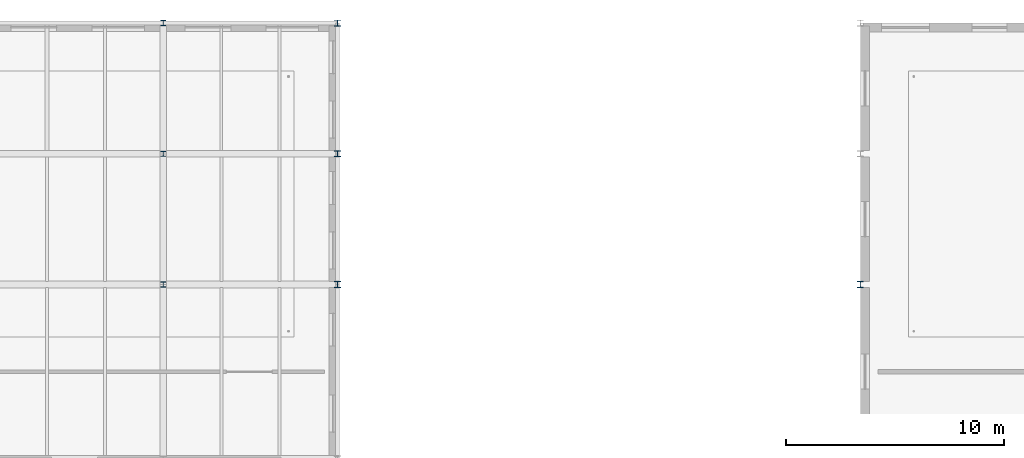
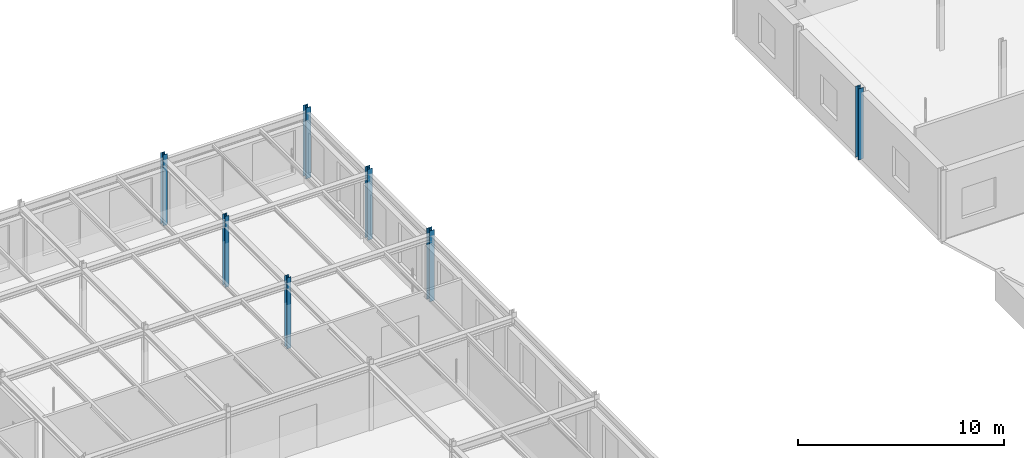
# One storey, part 12 of 124: 7 columns.
"""IFC4 building model written with IfcOpenShell, lengths in metres."""

from ifc_helpers import new_model, si_unit, direction, frame, origin, origin_2d, place, context, subcontext, project, spatial, i_section, extrude, material, material_profile, profile_set, type_object, element, save


model = new_model("IFC4")

# Units and contexts
model_context = context("Model", 3, precision=1e-05, world=origin(), true_north=direction((0.0, 1.0)))
body_context = subcontext(model_context, "Body", "Model", "MODEL_VIEW")
ifc_project = project(units=[si_unit("LENGTHUNIT", "METRE"), si_unit("AREAUNIT", "SQUARE_METRE"), si_unit("VOLUMEUNIT", "CUBIC_METRE"), si_unit("PLANEANGLEUNIT", "RADIAN"), si_unit("MASSUNIT", "GRAM", prefix="KILO")], contexts=[model_context])

# Site, building, storey
site_placement = place(None, origin())
site = spatial("IfcSite", under=ifc_project, at=site_placement, CompositionType="ELEMENT")
building_placement = place(site_placement, origin())
building = spatial("IfcBuilding", under=site, at=building_placement, Name="Sundkrona Museum", CompositionType="ELEMENT")
storey_placement = place(building_placement, frame((0.0, 0.0, 17.60009765625)))
storey = spatial("IfcBuildingStorey", under=building, at=storey_placement, Name="L03", CompositionType="ELEMENT", Elevation=17.60009765625)

# Columns
ifc_material = material(Name="Steel S355J2", Category="steel")
ifc_material_profile_1 = material_profile(ifc_material, i_section(OverallWidth=0.239990234375, OverallDepth=0.239990234375, WebThickness=0.010009765625, FlangeThickness=0.01708984375, FilletRadius=0.02099609375, at=origin_2d()), Name="HEB 240")
ifc_profile_set_1 = profile_set([ifc_material_profile_1], Name="Steel S355J2")
column_type_1 = type_object("IfcColumnType", Name="C-HEB240", PredefinedType="COLUMN", material=ifc_profile_set_1)
for number, where, z_axis, x_axis, name in (
    (1, (72.0, 102.0, 0.0), (0.0, 0.0, 1.0), (1.0, 0.0, 0.0), "L03 Column P/10"),
    (2, (72.0, 108.0, 0.0), (0.0, 0.0, 1.0), (1.0, 0.0, 0.0), "L03 Column Q/10"),
    (3, (72.0, 114.0, 0.0), (0.0, 0.0, 1.0), (1.0, 0.0, 0.0), "L03 Column R/10"),
):
    element("IfcColumn", number, at=place(storey_placement, frame(where, z_axis=z_axis, x_axis=x_axis)), inside=storey, type_object=column_type_1, Name=name, PredefinedType="COLUMN", context=body_context, shape_type="SweptSolid", body=[
        extrude(i_section(OverallWidth=0.239990234375, OverallDepth=0.239990234375, WebThickness=0.010009765625, FlangeThickness=0.01708984375, FilletRadius=0.02099609375, at=origin_2d()), origin(), (0.0, 0.0, 1.0), 4.199951171875),
    ])
ifc_material_profile_2 = material_profile(ifc_material, i_section(OverallWidth=0.280029296875, OverallDepth=0.280029296875, WebThickness=0.010498046875, FlangeThickness=0.01806640625, FilletRadius=0.02392578125, at=origin_2d()), Name="HEB 280")
ifc_profile_set_2 = profile_set([ifc_material_profile_2], Name="Steel S355J2")
column_type_2 = type_object("IfcColumnType", Name="C-HEB280", PredefinedType="COLUMN", material=ifc_profile_set_2)
for number, where, z_axis, x_axis, name in (
    (4, (80.0, 102.0, 0.0), (0.0, 0.0, 1.0), (1.0, 0.0, 0.0), "L03 Column P/11"),
    (5, (80.0, 108.0, 0.0), (0.0, 0.0, 1.0), (1.0, 0.0, 0.0), "L03 Column Q/11"),
    (6, (80.0, 114.0, 0.0), (0.0, 0.0, 1.0), (1.0, 0.0, 0.0), "L03 Column R/11"),
    (7, (104.0, 102.0, 0.0), (0.0, 0.0, 1.0), (1.0, 0.0, 0.0), "L03 Column P/14"),
):
    element("IfcColumn", number, at=place(storey_placement, frame(where, z_axis=z_axis, x_axis=x_axis)), inside=storey, type_object=column_type_2, Name=name, PredefinedType="COLUMN", context=body_context, shape_type="SweptSolid", body=[
        extrude(i_section(OverallWidth=0.280029296875, OverallDepth=0.280029296875, WebThickness=0.010498046875, FlangeThickness=0.01806640625, FilletRadius=0.02392578125, at=origin_2d()), origin(), (0.0, 0.0, 1.0), 4.199951171875),
    ])

save(model, "model.ifc")
